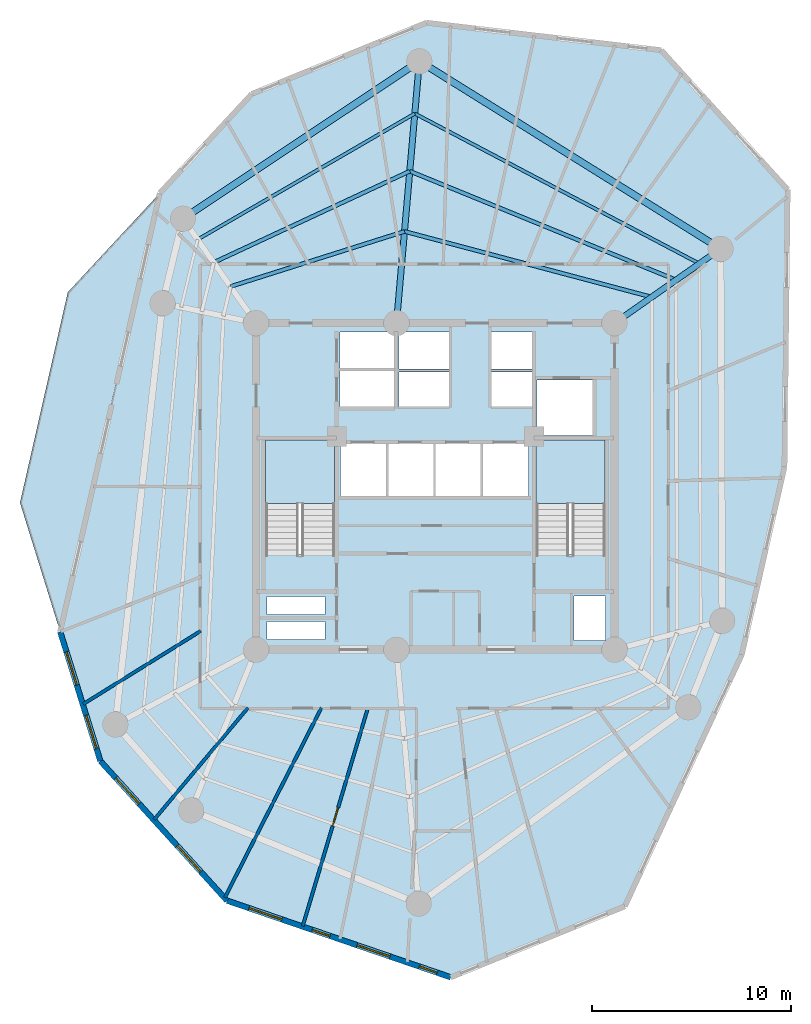
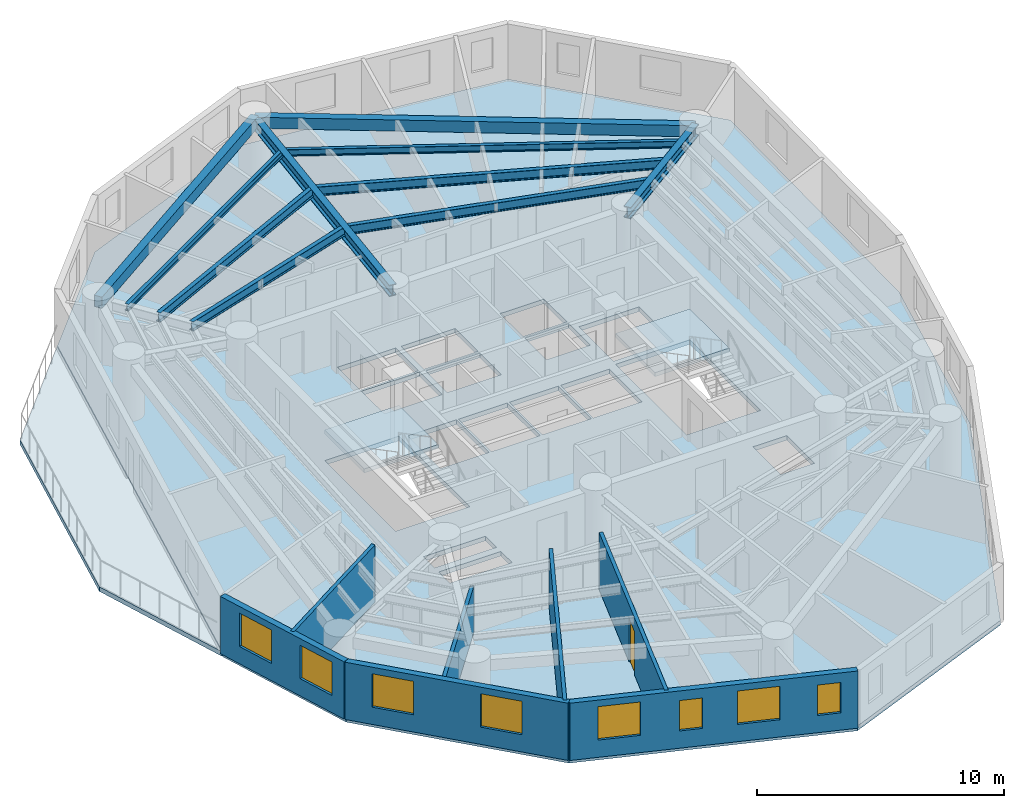
# One storey, part 2 of 9: 10 beams, 8 windows, 7 walls, 4 slabs, 1 door, 9 openings, 2 elements without a shape of their own.
"""IFC4 building model written with IfcOpenShell, lengths in metres."""

from ifc_helpers import new_model, si_unit, direction, frame, frame_2d, origin, origin_with_axes, origin_2d, place, context, subcontext, project, spatial, polyline, rectangle, i_section, outline, extrude, source, transform, mapped, material, layer, layer_set, material_profile, profile_set, type_object, element, fill, aggregate, save


model = new_model("IFC4")

# Units and contexts
model_context = context("Model", 3, precision=1e-05, world=origin(), true_north=direction((0.0, 1.0)))
body_context = subcontext(model_context, "Body", "Model", "MODEL_VIEW")
ifc_project = project(units=[si_unit("LENGTHUNIT", "METRE"), si_unit("AREAUNIT", "SQUARE_METRE"), si_unit("VOLUMEUNIT", "CUBIC_METRE"), si_unit("PLANEANGLEUNIT", "RADIAN"), si_unit("MASSUNIT", "GRAM", prefix="KILO")], contexts=[model_context])

# Site, building, storey
site_placement = place(None, origin())
site = spatial("IfcSite", under=ifc_project, at=site_placement, CompositionType="ELEMENT")
building_placement = place(site_placement, origin())
building = spatial("IfcBuilding", under=site, at=building_placement, Name="Karkom Vertical University and Central Library", CompositionType="ELEMENT")
storey_placement = place(building_placement, frame((0.0, 0.0, 156.550048828125)))
storey = spatial("IfcBuildingStorey", under=building, at=storey_placement, Name="L44", CompositionType="ELEMENT", Elevation=156.550048828125)

# Beams
ifc_material_1 = material(Name="Precast concrete C45/55", Category="concrete")
ifc_material_profile_1 = material_profile(ifc_material_1, rectangle(XDim=0.35009765625, YDim=0.550048828125, at=origin_2d()), Name="SPB-350x550")
ifc_profile_set_1 = profile_set([ifc_material_profile_1], Name="Precast concrete C45/55")
beam_type_1 = type_object("IfcBeamType", Name="STR-BM-SP-2", PredefinedType="SPANDREL", material=ifc_profile_set_1)
shared_shape_1 = source(origin_with_axes(), body_context, "Body", "SweptSolid", [
    extrude(rectangle(XDim=0.35009765625, YDim=0.550048828125, at=origin_2d()), origin(), (0.0, 0.0, 1.0), 17.81884765625),
])
beam_1_placement = place(storey_placement, frame((42.823974609375, 38.427978515625, 2.550048828125), z_axis=(-0.848764070164, 0.528771740167, 0.0), x_axis=(-0.528771740167, -0.848764070164, 0.0)))
element("IfcBeam", 1, at=beam_1_placement, inside=storey, type_object=beam_type_1, Name="Level 44 Perimeter Spandrel Beam 02", PredefinedType="SPANDREL", context=body_context, shape_type="MappedRepresentation", body=[
    mapped(shared_shape_1, transform((0.0, 0.0, 0.0), scale=1.0)),
])
shared_shape_2 = source(origin_with_axes(), body_context, "Body", "SweptSolid", [
    extrude(rectangle(XDim=0.35009765625, YDim=0.550048828125, at=origin_2d()), origin(), (0.0, 0.0, 1.0), 14.26318359375),
])
beam_2_placement = place(storey_placement, frame((27.699951171875, 47.85009765625, 2.550048828125), z_axis=(-0.83227406272, -0.554364396876, 0.0), x_axis=(0.554364396876, -0.83227406272, 0.0)))
element("IfcBeam", 2, at=beam_2_placement, inside=storey, type_object=beam_type_1, Name="Level 44 Perimeter Spandrel Beam 03", PredefinedType="SPANDREL", context=body_context, shape_type="MappedRepresentation", body=[
    mapped(shared_shape_2, transform((0.0, 0.0, 0.0), scale=1.0)),
])
ifc_material_2 = material(Name="Steel S355", Category="steel")
ifc_material_profile_2 = material_profile(ifc_material_2, i_section(OverallWidth=0.18994140625, OverallDepth=0.449951171875, WebThickness=0.009521484375, FlangeThickness=0.0146484375, FilletRadius=0.02099609375, at=origin_2d()), Name="IPE 450")
ifc_profile_set_2 = profile_set([ifc_material_profile_2], Name="Steel S355")
beam_type_2 = type_object("IfcBeamType", Name="STR-BM-SB-IPE450", PredefinedType="BEAM", material=ifc_profile_set_2)
shared_shape_3 = source(origin_with_axes(), body_context, "Body", "SweptSolid", [
    extrude(i_section(OverallWidth=0.18994140625, OverallDepth=0.449951171875, WebThickness=0.009521484375, FlangeThickness=0.0146484375, FilletRadius=0.02099609375, at=origin_2d()), origin(), (0.0, 0.0, 1.0), 12.841552734375),
])
beam_3_placement = place(storey_placement, frame((39.36328125, 36.0048828125, 2.599853515625), z_axis=(-0.96646647674, 0.256792814032, 0.0), x_axis=(-0.256792814032, -0.96646647674, 0.0)))
element("IfcBeam", 3, at=beam_3_placement, inside=storey, type_object=beam_type_2, Name="Level 44 Secondary Composite Floor Beam 1.02", PredefinedType="BEAM", context=body_context, shape_type="MappedRepresentation", body=[
    mapped(shared_shape_3, transform((0.0, 0.0, 0.0), scale=1.0)),
])
shared_shape_4 = source(origin_with_axes(), body_context, "Body", "SweptSolid", [
    extrude(i_section(OverallWidth=0.18994140625, OverallDepth=0.449951171875, WebThickness=0.009521484375, FlangeThickness=0.0146484375, FilletRadius=0.02099609375, at=origin_2d()), origin(), (0.0, 0.0, 1.0), 9.1650390625),
])
beam_4_placement = place(storey_placement, frame((26.952392578125, 39.302490234375, 2.599853515625), z_axis=(-0.953318200449, -0.301967562319, 0.0), x_axis=(0.301967562319, -0.953318200449, 0.0)))
element("IfcBeam", 4, at=beam_4_placement, inside=storey, type_object=beam_type_2, Name="Level 44 Secondary Composite Floor Beam 1.03", PredefinedType="BEAM", context=body_context, shape_type="MappedRepresentation", body=[
    mapped(shared_shape_4, transform((0.0, 0.0, 0.0), scale=1.0)),
])
shared_shape_5 = source(origin_with_axes(), body_context, "Body", "SweptSolid", [
    extrude(i_section(OverallWidth=0.18994140625, OverallDepth=0.449951171875, WebThickness=0.009521484375, FlangeThickness=0.0146484375, FilletRadius=0.02099609375, at=origin_2d()), origin(), (0.0, 0.0, 1.0), 14.4443359375),
])
beam_5_placement = place(storey_placement, frame((40.587890625, 36.8623046875, 2.599853515625), z_axis=(-0.925675328736, 0.378318894281, 0.0), x_axis=(-0.378318894281, -0.925675328736, 0.0)))
element("IfcBeam", 5, at=beam_5_placement, inside=storey, type_object=beam_type_2, Name="Level 44 Secondary Composite Floor Beam 2.02", PredefinedType="BEAM", context=body_context, shape_type="MappedRepresentation", body=[
    mapped(shared_shape_5, transform((0.0, 0.0, 0.0), scale=1.0)),
])
shared_shape_6 = source(origin_with_axes(), body_context, "Body", "SweptSolid", [
    extrude(i_section(OverallWidth=0.18994140625, OverallDepth=0.449951171875, WebThickness=0.009521484375, FlangeThickness=0.0146484375, FilletRadius=0.02099609375, at=origin_2d()), origin(), (0.0, 0.0, 1.0), 10.86181640625),
])
beam_6_placement = place(storey_placement, frame((27.217041015625, 42.326904296875, 2.599853515625), z_axis=(-0.90649871419, -0.422208575436, 0.0), x_axis=(0.422208575436, -0.90649871419, 0.0)))
element("IfcBeam", 6, at=beam_6_placement, inside=storey, type_object=beam_type_2, Name="Level 44 Secondary Composite Floor Beam 2.03", PredefinedType="BEAM", context=body_context, shape_type="MappedRepresentation", body=[
    mapped(shared_shape_6, transform((0.0, 0.0, 0.0), scale=1.0)),
])
ifc_material_profile_3 = material_profile(ifc_material_2, i_section(OverallWidth=0.159912109375, OverallDepth=0.330078125, WebThickness=0.007568359375, FlangeThickness=0.011474609375, FilletRadius=0.01806640625, at=origin_2d()), Name="IPE 330")
ifc_profile_set_3 = profile_set([ifc_material_profile_3], Name="Steel S355")
beam_type_3 = type_object("IfcBeamType", Name="STR-BM-SB-IPE330", PredefinedType="BEAM", material=ifc_profile_set_3)
shared_shape_7 = source(origin_with_axes(), body_context, "Body", "SweptSolid", [
    extrude(i_section(OverallWidth=0.159912109375, OverallDepth=0.330078125, WebThickness=0.007568359375, FlangeThickness=0.011474609375, FilletRadius=0.01806640625, at=origin_2d()), origin(), (0.0, 0.0, 1.0), 16.155517578125),
])
beam_7_placement = place(storey_placement, frame((41.75927734375, 37.682373046875, 2.659912109375), z_axis=(-0.884486447848, 0.466565883423, 0.0), x_axis=(-0.466565883423, -0.884486447848, 0.0)))
element("IfcBeam", 7, at=beam_7_placement, inside=storey, type_object=beam_type_3, Name="Level 44 Secondary Composite Floor Beam 3.02", PredefinedType="BEAM", context=body_context, shape_type="MappedRepresentation", body=[
    mapped(shared_shape_7, transform((0.0, 0.0, 0.0), scale=1.0)),
])
shared_shape_8 = source(origin_with_axes(), body_context, "Body", "SweptSolid", [
    extrude(i_section(OverallWidth=0.159912109375, OverallDepth=0.330078125, WebThickness=0.007568359375, FlangeThickness=0.011474609375, FilletRadius=0.01806640625, at=origin_2d()), origin(), (0.0, 0.0, 1.0), 12.6083984375),
])
beam_8_placement = place(storey_placement, frame((27.469970703125, 45.219970703125, 2.659912109375), z_axis=(-0.865038920595, -0.50170475965, 0.0), x_axis=(0.50170475965, -0.865038920595, 0.0)))
element("IfcBeam", 8, at=beam_8_placement, inside=storey, type_object=beam_type_3, Name="Level 44 Secondary Composite Floor Beam 3.03", PredefinedType="BEAM", context=body_context, shape_type="MappedRepresentation", body=[
    mapped(shared_shape_8, transform((0.0, 0.0, 0.0), scale=1.0)),
])
ifc_material_profile_4 = material_profile(ifc_material_2, i_section(OverallWidth=0.300048828125, OverallDepth=0.550048828125, WebThickness=0.014892578125, FlangeThickness=0.029052734375, FilletRadius=0.027099609375, at=origin_2d()), Name="HE 550 B")
ifc_profile_set_4 = profile_set([ifc_material_profile_4], Name="Steel S355")
beam_type_4 = type_object("IfcBeamType", Name="STR-BM-SB-HE550", PredefinedType="USERDEFINED", material=ifc_profile_set_4)
shared_shape_9 = source(origin_with_axes(), body_context, "Body", "SweptSolid", [
    extrude(i_section(OverallWidth=0.300048828125, OverallDepth=0.550048828125, WebThickness=0.014892578125, FlangeThickness=0.029052734375, FilletRadius=0.027099609375, at=origin_2d()), origin(), (0.0, 0.0, 1.0), 6.49951171875),
])
beam_9_placement = place(storey_placement, frame((37.5, 34.699951171875, 2.550048828125), z_axis=(0.819141909878, 0.573590909517, 0.0), x_axis=(-0.573590909517, 0.819141909878, 0.0)))
element("IfcBeam", 9, at=beam_9_placement, inside=storey, type_object=beam_type_4, Name="Level 44 Radial Frame Girder 02", ObjectType="GIRDER", PredefinedType="USERDEFINED", context=body_context, shape_type="MappedRepresentation", body=[
    mapped(shared_shape_9, transform((0.0, 0.0, 0.0), scale=1.0)),
])
shared_shape_10 = source(origin_with_axes(), body_context, "Body", "SweptSolid", [
    extrude(i_section(OverallWidth=0.300048828125, OverallDepth=0.550048828125, WebThickness=0.014892578125, FlangeThickness=0.029052734375, FilletRadius=0.027099609375, at=origin_2d()), origin(), (0.0, 0.0, 1.0), 13.200439453125),
])
beam_10_placement = place(storey_placement, frame((26.550048828125, 34.699951171875, 2.550048828125), z_axis=(0.087111657164, 0.996198554098, 0.0), x_axis=(-0.996198554098, 0.087111657164, 0.0)))
element("IfcBeam", 10, at=beam_10_placement, inside=storey, type_object=beam_type_4, Name="Level 44 Radial Frame Girder 03", ObjectType="GIRDER", PredefinedType="USERDEFINED", context=body_context, shape_type="MappedRepresentation", body=[
    mapped(shared_shape_10, transform((0.0, 0.0, 0.0), scale=1.0)),
])

# Stair, slab
ifc_material_3 = material(Name="Concrete C45/55", Category="concrete")
stair_type = type_object("IfcStairType", Name="INT-STR-ST-MAIN", PredefinedType="HALF_TURN_STAIR", material=ifc_material_3)
stair_1_placement = place(storey_placement, origin())
stair_1 = element("IfcStair", 11, at=stair_1_placement, inside=storey, type_object=stair_type, Name="Level 44 Tower Protected Exit Stair ST-1", PredefinedType="HALF_TURN_STAIR")
ifc_layer_1 = layer(ifc_material_3, 0.199951171875)
ifc_layer_set_1 = layer_set([ifc_layer_1], Name="Concrete C45/55")
slab_type_1 = type_object("IfcSlabType", Name="INT-SLB-LANDING", PredefinedType="LANDING", material=ifc_layer_set_1)
slab_1_placement = place(storey_placement, frame((0.0, 0.0, 1.324951171875)))
slab_1 = element("IfcSlab", 12, at=slab_1_placement, type_object=slab_type_1, Name="ST-1 landing 1", PredefinedType="LANDING", context=body_context, shape_type="SweptSolid", body=[
    extrude(outline(polyline([(23.43994140625, 25.6298828125), (23.43994140625, 28.820068359375), (19.97998046875, 28.820068359375), (19.97998046875, 25.6298828125), (23.43994140625, 25.6298828125)])), origin(), (0.0, 0.0, 1.0), 0.199951171875),
])
aggregate(stair_1, [slab_1])

stair_2_placement = place(storey_placement, origin())
stair_2 = element("IfcStair", 13, at=stair_2_placement, inside=storey, type_object=stair_type, Name="Level 44 Tower Protected Exit Stair ST-2", PredefinedType="HALF_TURN_STAIR")
slab_2_placement = place(storey_placement, frame((0.0, 0.0, 1.324951171875)))
slab_2 = element("IfcSlab", 14, at=slab_2_placement, type_object=slab_type_1, Name="ST-2 landing 1", PredefinedType="LANDING", context=body_context, shape_type="SweptSolid", body=[
    extrude(outline(polyline([(37.02001953125, 25.6298828125), (37.02001953125, 28.820068359375), (33.56005859375, 28.820068359375), (33.56005859375, 25.6298828125), (37.02001953125, 25.6298828125)])), origin(), (0.0, 0.0, 1.0), 0.199951171875),
])
aggregate(stair_2, [slab_2])

# Slabs
ifc_layer_2 = layer(ifc_material_3, 0.22509765625)
ifc_layer_set_2 = layer_set([ifc_layer_2], Name="Concrete C45/55")
slab_type_2 = type_object("IfcSlabType", Name="STR-SLB-FLR-225", PredefinedType="FLOOR", material=ifc_layer_set_2)
slab_3_placement = place(storey_placement, frame((0.0, 0.0, -0.22509765625)))
element("IfcSlab", 15, at=slab_3_placement, inside=storey, type_object=slab_type_2, Name="Level 44 Tower Structural Floor Slab", PredefinedType="FLOOR", context=body_context, shape_type="SweptSolid", body=[
    extrude(outline(polyline([(9.662109375, 19.19970703125), (11.6787109375, 12.71142578125), (18.038818359375, 5.699951171875), (29.265380859375, 1.85009765625), (38.01171875, 5.41748046875), (43.88427734375, 18.04541015625), (46.027099609375, 27.477294921875), (46.1875, 41.40283203125), (39.841064453125, 48.3994140625), (28.05322265625, 49.7783203125), (19.2880859375, 46.203125), (14.666015625, 41.223388671875), (9.662109375, 19.19970703125)]), holes=[polyline([(19.97998046875, 23.0849609375), (23.43994140625, 23.0849609375), (23.43994140625, 28.820068359375), (19.97998046875, 28.820068359375), (19.97998046875, 23.0849609375)]), polyline([(33.56005859375, 23.0849609375), (37.02001953125, 23.0849609375), (37.02001953125, 28.820068359375), (33.56005859375, 28.820068359375), (33.56005859375, 23.0849609375)]), polyline([(23.75, 26.0), (26.030029296875, 26.0), (26.030029296875, 28.64990234375), (23.75, 28.64990234375), (23.75, 26.0)]), polyline([(26.1298828125, 26.0), (28.409912109375, 26.0), (28.409912109375, 28.64990234375), (26.1298828125, 28.64990234375), (26.1298828125, 26.0)]), polyline([(28.510009765625, 26.0), (30.7900390625, 26.0), (30.7900390625, 28.64990234375), (28.510009765625, 28.64990234375), (28.510009765625, 26.0)]), polyline([(30.889892578125, 26.0), (33.169921875, 26.0), (33.169921875, 28.64990234375), (30.889892578125, 28.64990234375), (30.889892578125, 26.0)]), polyline([(26.679931640625, 30.5), (29.199951171875, 30.5), (29.199951171875, 32.25), (26.679931640625, 32.25), (26.679931640625, 30.5)]), polyline([(26.679931640625, 32.39990234375), (29.199951171875, 32.39990234375), (29.199951171875, 34.25), (26.679931640625, 34.25), (26.679931640625, 32.39990234375)]), polyline([(31.300048828125, 30.5), (33.35009765625, 30.5), (33.35009765625, 32.25), (31.300048828125, 32.25), (31.300048828125, 30.5)]), polyline([(31.300048828125, 32.39990234375), (33.35009765625, 32.39990234375), (33.35009765625, 34.25), (31.300048828125, 34.25), (31.300048828125, 32.39990234375)]), polyline([(23.719970703125, 30.47998046875), (26.429931640625, 30.47998046875), (26.429931640625, 32.320068359375), (23.719970703125, 32.320068359375), (23.719970703125, 30.47998046875)]), polyline([(23.719970703125, 32.419921875), (26.429931640625, 32.419921875), (26.429931640625, 34.260009765625), (23.719970703125, 34.260009765625), (23.719970703125, 32.419921875)]), polyline([(33.60009765625, 29.050048828125), (36.39990234375, 29.050048828125), (36.39990234375, 31.85009765625), (33.60009765625, 31.85009765625), (33.60009765625, 29.050048828125)]), polyline([(20.050048828125, 18.820068359375), (22.949951171875, 18.820068359375), (22.949951171875, 19.719970703125), (20.050048828125, 19.719970703125), (20.050048828125, 18.820068359375)]), polyline([(20.050048828125, 20.06005859375), (22.949951171875, 20.06005859375), (22.949951171875, 20.9599609375), (20.050048828125, 20.9599609375), (20.050048828125, 20.06005859375)]), polyline([(35.4599609375, 18.760009765625), (37.0400390625, 18.760009765625), (37.0400390625, 21.010009765625), (35.4599609375, 21.010009765625), (35.4599609375, 18.760009765625)])]), origin(), (0.0, 0.0, 1.0), 0.22509765625),
])
ifc_layer_3 = layer(ifc_material_3, 0.199951171875)
ifc_layer_set_3 = layer_set([ifc_layer_3], Name="Concrete C45/55")
slab_type_3 = type_object("IfcSlabType", Name="STR-SLB-PLN-260", PredefinedType="USERDEFINED", material=ifc_layer_set_3)
slab_4_placement = place(storey_placement, frame((0.0, 0.0, -0.22509765625)))
element("IfcSlab", 16, at=slab_4_placement, inside=storey, type_object=slab_type_3, Name="Level 44 Spiral Sky Garden Planter Terrace", ObjectType="PLANTER", PredefinedType="USERDEFINED", context=body_context, shape_type="SweptSolid", body=[
    extrude(outline(polyline([(7.647216796875, 25.68310546875), (10.047119140625, 36.2470703125), (14.638916015625, 41.194091796875), (9.650390625, 19.23779296875), (7.647216796875, 25.68310546875)])), origin(), (0.0, 0.0, 1.0), 0.22509765625),
])

# Wall, openings, windows
ifc_material_4 = material(Name="Brick-faced precast concrete C45/55", Category="masonry")
ifc_layer_4 = layer(ifc_material_4, 0.280029296875)
ifc_layer_set_4 = layer_set([ifc_layer_4], Name="Brick-faced precast concrete C45/55")
wall_type_1 = type_object("IfcWallType", Name="ENV-WL-BRK-280", PredefinedType="SOLIDWALL", material=ifc_layer_set_4)
wall_1_placement = place(storey_placement, frame((9.662109375, 19.19970703125, 0.0), z_axis=(0.0, 0.0, 1.0), x_axis=(0.2968015378, -0.954939185058, 0.0)))
wall_1 = element("IfcWall", 17, at=wall_1_placement, inside=storey, type_object=wall_type_1, Name="Level 44 Brick-Faced Precast Facade Wall 01", PredefinedType="SOLIDWALL", context=body_context, shape_type="SweptSolid", body=[
    extrude(rectangle(XDim=6.79443359375, YDim=0.280029296875, at=frame_2d((3.397216796875, 0.0))), origin(), (0.0, 0.0, 1.0), 2.824951171875),
])
opening_1_placement = place(wall_1_placement, frame((1.05615234375, 0.0, 0.85009765625)))
opening_1 = element("IfcOpeningElement", 18, at=opening_1_placement, cuts=wall_1, Name="Opening WN-08", PredefinedType="OPENING", context=body_context, shape_type="SweptSolid", body=[
    extrude(rectangle(XDim=1.75, YDim=1.64990234375, at=frame_2d((0.875, 0.824951171875))), frame((0.0, 0.14990234375, 0.0), z_axis=(0.0, -1.0, 0.0), x_axis=(1.0, 0.0, 0.0)), (0.0, 0.0, 1.0), 0.300048828125),
])
opening_2_placement = place(wall_1_placement, frame((4.393310546875, 0.0, 0.85009765625)))
opening_2 = element("IfcOpeningElement", 19, at=opening_2_placement, cuts=wall_1, Name="Opening WN-08", PredefinedType="OPENING", context=body_context, shape_type="SweptSolid", body=[
    extrude(rectangle(XDim=1.75, YDim=1.64990234375, at=frame_2d((0.875, 0.824951171875))), frame((0.0, 0.14990234375, 0.0), z_axis=(0.0, -1.0, 0.0), x_axis=(1.0, 0.0, 0.0)), (0.0, 0.0, 1.0), 0.300048828125),
])
ifc_material_5 = material(Name="Aluminium thermal-break frame with solar-control IGU", Category="aluminium")
window_type_1 = type_object("IfcWindowType", Name="ENV-WIN-WN-08", PartitioningType="SINGLE_PANEL", PredefinedType="WINDOW", material=ifc_material_5)
shared_shape_11 = source(origin_with_axes(), body_context, "Body", "SweptSolid", [
    extrude(rectangle(XDim=1.75, YDim=1.64990234375, at=frame_2d((0.875, 0.824951171875))), frame((0.0, 0.030029296875, 0.0), z_axis=(0.0, -1.0, 0.0), x_axis=(1.0, 0.0, 0.0)), (0.0, 0.0, 1.0), 0.06005859375),
])
window_1_placement = place(opening_1_placement, origin())
window_1 = element("IfcWindow", 20, at=window_1_placement, inside=storey, type_object=window_type_1, Name="Level 44 Punched Window 1.1", OverallHeight=1.64990234375, OverallWidth=1.75, PartitioningType="SINGLE_PANEL", PredefinedType="WINDOW", context=body_context, shape_type="MappedRepresentation", body=[
    mapped(shared_shape_11, transform((0.0, 0.0, 0.0), scale=1.0)),
])
fill(opening_1, window_1)
window_2_placement = place(opening_2_placement, origin())
window_2 = element("IfcWindow", 21, at=window_2_placement, inside=storey, type_object=window_type_1, Name="Level 44 Punched Window 1.2", OverallHeight=1.64990234375, OverallWidth=1.75, PartitioningType="SINGLE_PANEL", PredefinedType="WINDOW", context=body_context, shape_type="MappedRepresentation", body=[
    mapped(shared_shape_11, transform((0.0, 0.0, 0.0), scale=1.0)),
])
fill(opening_2, window_2)

wall_2_placement = place(storey_placement, frame((11.6787109375, 12.71142578125, 0.0), z_axis=(0.0, 0.0, 1.0), x_axis=(0.671864956499, -0.740673666488, 0.0)))
wall_2 = element("IfcWall", 22, at=wall_2_placement, inside=storey, type_object=wall_type_1, Name="Level 44 Brick-Faced Precast Facade Wall 02", PredefinedType="SOLIDWALL", context=body_context, shape_type="SweptSolid", body=[
    extrude(rectangle(XDim=9.46630859375, YDim=0.280029296875, at=frame_2d((4.733154296875, 0.0))), origin(), (0.0, 0.0, 1.0), 2.824951171875),
])
opening_3_placement = place(wall_2_placement, frame((1.150634765625, 0.0, 0.85009765625)))
opening_3 = element("IfcOpeningElement", 23, at=opening_3_placement, cuts=wall_2, Name="Opening WN-08", PredefinedType="OPENING", context=body_context, shape_type="SweptSolid", body=[
    extrude(rectangle(XDim=1.75, YDim=1.64990234375, at=frame_2d((0.875, 0.824951171875))), frame((0.0, 0.14990234375, 0.0), z_axis=(0.0, -1.0, 0.0), x_axis=(1.0, 0.0, 0.0)), (0.0, 0.0, 1.0), 0.300048828125),
])
opening_4_placement = place(wall_2_placement, frame((5.75390625, 0.0, 0.85009765625)))
opening_4 = element("IfcOpeningElement", 24, at=opening_4_placement, cuts=wall_2, Name="Opening WN-08", PredefinedType="OPENING", context=body_context, shape_type="SweptSolid", body=[
    extrude(rectangle(XDim=1.75, YDim=1.64990234375, at=frame_2d((0.875, 0.824951171875))), frame((0.0, 0.14990234375, 0.0), z_axis=(0.0, -1.0, 0.0), x_axis=(1.0, 0.0, 0.0)), (0.0, 0.0, 1.0), 0.300048828125),
])
window_3_placement = place(opening_3_placement, origin())
window_3 = element("IfcWindow", 25, at=window_3_placement, inside=storey, type_object=window_type_1, Name="Level 44 Punched Window 2.1", OverallHeight=1.64990234375, OverallWidth=1.75, PartitioningType="SINGLE_PANEL", PredefinedType="WINDOW", context=body_context, shape_type="MappedRepresentation", body=[
    mapped(shared_shape_11, transform((0.0, 0.0, 0.0), scale=1.0)),
])
fill(opening_3, window_3)
window_4_placement = place(opening_4_placement, origin())
window_4 = element("IfcWindow", 26, at=window_4_placement, inside=storey, type_object=window_type_1, Name="Level 44 Punched Window 2.2", OverallHeight=1.64990234375, OverallWidth=1.75, PartitioningType="SINGLE_PANEL", PredefinedType="WINDOW", context=body_context, shape_type="MappedRepresentation", body=[
    mapped(shared_shape_11, transform((0.0, 0.0, 0.0), scale=1.0)),
])
fill(opening_4, window_4)

wall_3_placement = place(storey_placement, frame((18.038818359375, 5.699951171875, 0.0), z_axis=(0.0, 0.0, 1.0), x_axis=(0.945926650716, -0.324380596624, 0.0)))
wall_3 = element("IfcWall", 27, at=wall_3_placement, inside=storey, type_object=wall_type_1, Name="Level 44 Brick-Faced Precast Facade Wall 03", PredefinedType="SOLIDWALL", context=body_context, shape_type="SweptSolid", body=[
    extrude(rectangle(XDim=11.868408203125, YDim=0.280029296875, at=frame_2d((5.93408203125, 0.0))), origin(), (0.0, 0.0, 1.0), 2.824951171875),
])
opening_5_placement = place(wall_3_placement, frame((1.160400390625, 0.0, 0.85009765625)))
opening_5 = element("IfcOpeningElement", 28, at=opening_5_placement, cuts=wall_3, Name="Opening WN-08", PredefinedType="OPENING", context=body_context, shape_type="SweptSolid", body=[
    extrude(rectangle(XDim=1.75, YDim=1.64990234375, at=frame_2d((0.875, 0.824951171875))), frame((0.0, 0.14990234375, 0.0), z_axis=(0.0, -1.0, 0.0), x_axis=(1.0, 0.0, 0.0)), (0.0, 0.0, 1.0), 0.300048828125),
])
opening_6_placement = place(wall_3_placement, frame((4.5244140625, 0.0, 0.85009765625)))
opening_6 = element("IfcOpeningElement", 29, at=opening_6_placement, cuts=wall_3, Name="Opening WN-12", PredefinedType="OPENING", context=body_context, shape_type="SweptSolid", body=[
    extrude(rectangle(XDim=0.949951171875, YDim=1.5, at=frame_2d((0.47509765625, 0.75))), frame((0.0, 0.14990234375, 0.0), z_axis=(0.0, -1.0, 0.0), x_axis=(1.0, 0.0, 0.0)), (0.0, 0.0, 1.0), 0.300048828125),
])
opening_7_placement = place(wall_3_placement, frame((6.89990234375, 0.0, 0.85009765625)))
opening_7 = element("IfcOpeningElement", 30, at=opening_7_placement, cuts=wall_3, Name="Opening WN-08", PredefinedType="OPENING", context=body_context, shape_type="SweptSolid", body=[
    extrude(rectangle(XDim=1.75, YDim=1.64990234375, at=frame_2d((0.875, 0.824951171875))), frame((0.0, 0.14990234375, 0.0), z_axis=(0.0, -1.0, 0.0), x_axis=(1.0, 0.0, 0.0)), (0.0, 0.0, 1.0), 0.300048828125),
])
opening_8_placement = place(wall_3_placement, frame((10.210205078125, 0.0, 0.85009765625)))
opening_8 = element("IfcOpeningElement", 31, at=opening_8_placement, cuts=wall_3, Name="Opening WN-12", PredefinedType="OPENING", context=body_context, shape_type="SweptSolid", body=[
    extrude(rectangle(XDim=0.949951171875, YDim=1.5, at=frame_2d((0.47509765625, 0.75))), frame((0.0, 0.14990234375, 0.0), z_axis=(0.0, -1.0, 0.0), x_axis=(1.0, 0.0, 0.0)), (0.0, 0.0, 1.0), 0.300048828125),
])
window_type_2 = type_object("IfcWindowType", Name="ENV-WIN-WN-12", PartitioningType="SINGLE_PANEL", PredefinedType="WINDOW", material=ifc_material_5)
shared_shape_12 = source(origin_with_axes(), body_context, "Body", "SweptSolid", [
    extrude(rectangle(XDim=0.949951171875, YDim=1.5, at=frame_2d((0.47509765625, 0.75))), frame((0.0, 0.030029296875, 0.0), z_axis=(0.0, -1.0, 0.0), x_axis=(1.0, 0.0, 0.0)), (0.0, 0.0, 1.0), 0.06005859375),
])
window_5_placement = place(opening_6_placement, origin())
window_5 = element("IfcWindow", 32, at=window_5_placement, inside=storey, type_object=window_type_2, Name="Level 44 Punched Window 3.2", OverallHeight=1.5, OverallWidth=0.949951171875, PartitioningType="SINGLE_PANEL", PredefinedType="WINDOW", context=body_context, shape_type="MappedRepresentation", body=[
    mapped(shared_shape_12, transform((0.0, 0.0, 0.0), scale=1.0)),
])
fill(opening_6, window_5)
window_6_placement = place(opening_8_placement, origin())
window_6 = element("IfcWindow", 33, at=window_6_placement, inside=storey, type_object=window_type_2, Name="Level 44 Punched Window 3.4", OverallHeight=1.5, OverallWidth=0.949951171875, PartitioningType="SINGLE_PANEL", PredefinedType="WINDOW", context=body_context, shape_type="MappedRepresentation", body=[
    mapped(shared_shape_12, transform((0.0, 0.0, 0.0), scale=1.0)),
])
fill(opening_8, window_6)
window_7_placement = place(opening_5_placement, origin())
window_7 = element("IfcWindow", 34, at=window_7_placement, inside=storey, type_object=window_type_1, Name="Level 44 Punched Window 3.1", OverallHeight=1.64990234375, OverallWidth=1.75, PartitioningType="SINGLE_PANEL", PredefinedType="WINDOW", context=body_context, shape_type="MappedRepresentation", body=[
    mapped(shared_shape_11, transform((0.0, 0.0, 0.0), scale=1.0)),
])
fill(opening_5, window_7)
window_8_placement = place(opening_7_placement, origin())
window_8 = element("IfcWindow", 35, at=window_8_placement, inside=storey, type_object=window_type_1, Name="Level 44 Punched Window 3.3", OverallHeight=1.64990234375, OverallWidth=1.75, PartitioningType="SINGLE_PANEL", PredefinedType="WINDOW", context=body_context, shape_type="MappedRepresentation", body=[
    mapped(shared_shape_11, transform((0.0, 0.0, 0.0), scale=1.0)),
])
fill(opening_7, window_8)

# Wall, opening, door
ifc_material_6 = material(Name="Insulated metal-stud drywall 160mm", Category="gypsum")
ifc_layer_5 = layer(ifc_material_6, 0.159912109375)
ifc_layer_set_5 = layer_set([ifc_layer_5], Name="Insulated metal-stud drywall 160mm")
wall_type_2 = type_object("IfcWallType", Name="INT-WL-COR-160", PredefinedType="PARTITIONING", material=ifc_layer_set_5)
wall_4_placement = place(storey_placement, frame((25.115234375, 15.378662109375, 0.0), z_axis=(0.0, 0.0, 1.0), x_axis=(-0.286223364171, -0.958162922369, 0.0)))
wall_4 = element("IfcWall", 36, at=wall_4_placement, inside=storey, type_object=wall_type_2, Name="Level 44 Interior Partition Wall L44-PW-006", PredefinedType="PARTITIONING", context=body_context, shape_type="SweptSolid", body=[
    extrude(rectangle(XDim=11.43505859375, YDim=0.159912109375, at=frame_2d((5.717529296875, 0.0))), origin(), (0.0, 0.0, 1.0), 2.824951171875),
])
opening_9_placement = place(wall_4_placement, frame((5.22509765625, 0.0, 0.0)))
opening_9 = element("IfcOpeningElement", 37, at=opening_9_placement, cuts=wall_4, Name="Opening D-RM1", PredefinedType="OPENING", context=body_context, shape_type="SweptSolid", body=[
    extrude(rectangle(XDim=0.949951171875, YDim=2.14990234375, at=frame_2d((0.47509765625, 1.074951171875))), frame((0.0, 0.08984375, 0.0), z_axis=(0.0, -1.0, 0.0), x_axis=(1.0, 0.0, 0.0)), (0.0, 0.0, 1.0), 0.179931640625),
])
ifc_material_7 = material(Name="Solid-core oak veneer door", Category="wood")
door_type = type_object("IfcDoorType", Name="INT-DR-RM1", OperationType="NOTDEFINED", PredefinedType="DOOR", material=ifc_material_7)
shared_shape_13 = source(origin_with_axes(), body_context, "Body", "SweptSolid", [
    extrude(rectangle(XDim=0.949951171875, YDim=2.14990234375, at=frame_2d((0.47509765625, 1.074951171875))), frame((0.0, 0.02490234375, 0.0), z_axis=(0.0, -1.0, 0.0), x_axis=(1.0, 0.0, 0.0)), (0.0, 0.0, 1.0), 0.050048828125),
])
door_placement = place(opening_9_placement, origin())
door = element("IfcDoor", 38, at=door_placement, inside=storey, type_object=door_type, Name="Level 44 Room Entry Door 050", OperationType="SINGLE_SWING_RIGHT", OverallHeight=2.14990234375, OverallWidth=0.949951171875, PredefinedType="DOOR", context=body_context, shape_type="MappedRepresentation", body=[
    mapped(shared_shape_13, transform((0.0, 0.0, 0.0), scale=1.0)),
])
fill(opening_9, door)

# Walls
wall_5_placement = place(storey_placement, frame((22.7822265625, 15.39013671875, 0.0), z_axis=(0.0, 0.0, 1.0), x_axis=(-0.453312470981, -0.891351672267, 0.0)))
element("IfcWall", 39, at=wall_5_placement, inside=storey, type_object=wall_type_2, Name="Level 44 Interior Partition Wall L44-PW-005", PredefinedType="PARTITIONING", context=body_context, shape_type="SweptSolid", body=[
    extrude(rectangle(XDim=10.69384765625, YDim=0.159912109375, at=frame_2d((5.346923828125, 0.0))), origin(), (0.0, 0.0, 1.0), 2.824951171875),
])
wall_6_placement = place(storey_placement, frame((19.094482421875, 15.384521484375, 0.0), z_axis=(0.0, 0.0, 1.0), x_axis=(-0.642788201526, -0.766043946506, 0.0)))
element("IfcWall", 40, at=wall_6_placement, inside=storey, type_object=wall_type_2, Name="Level 44 Interior Partition Wall L44-PW-004", PredefinedType="PARTITIONING", context=body_context, shape_type="SweptSolid", body=[
    extrude(rectangle(XDim=7.330810546875, YDim=0.159912109375, at=frame_2d((3.66552734375, 0.0))), origin(), (0.0, 0.0, 1.0), 2.27490234375),
])
wall_7_placement = place(storey_placement, frame((16.7255859375, 19.243408203125, 0.0), z_axis=(0.0, 0.0, 1.0), x_axis=(-0.849037712217, -0.528332247012, 0.0)))
element("IfcWall", 41, at=wall_7_placement, inside=storey, type_object=wall_type_2, Name="Level 44 Interior Partition Wall L44-PW-003", PredefinedType="PARTITIONING", context=body_context, shape_type="SweptSolid", body=[
    extrude(rectangle(XDim=6.956298828125, YDim=0.159912109375, at=frame_2d((3.47802734375, 0.0))), origin(), (0.0, 0.0, 1.0), 2.824951171875),
])

save(model, "model.ifc")
